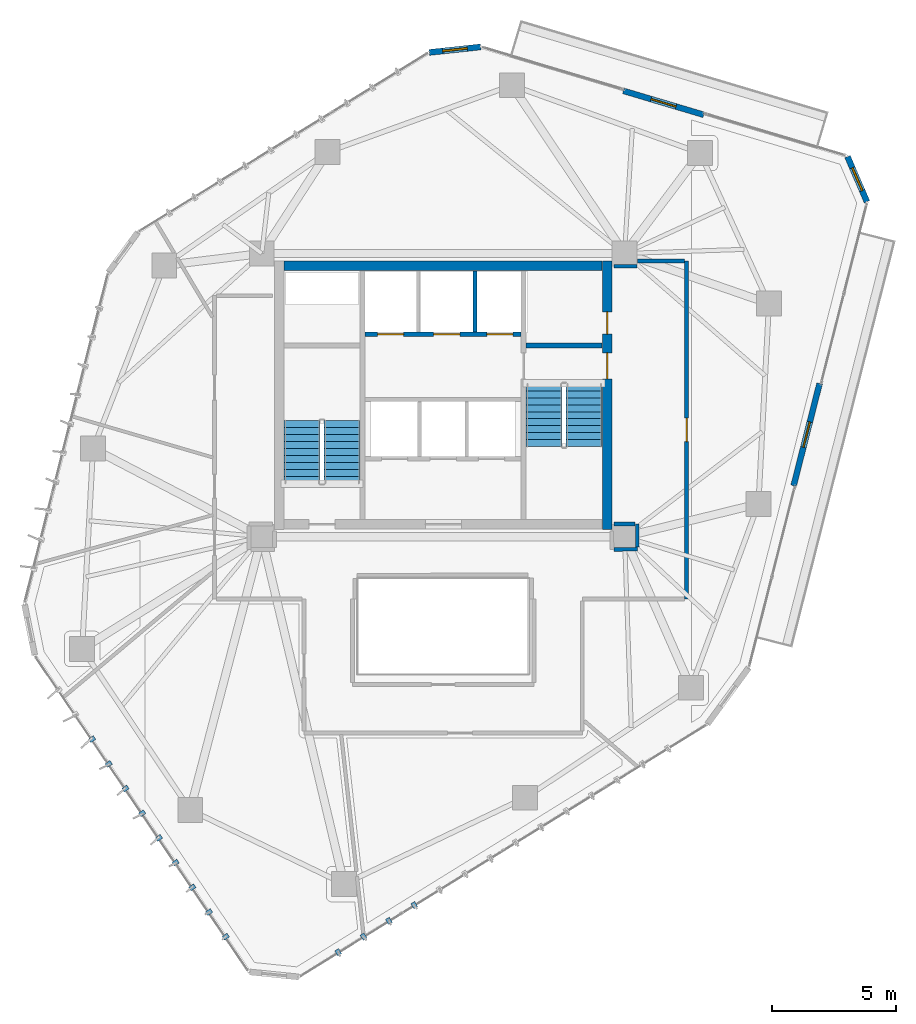
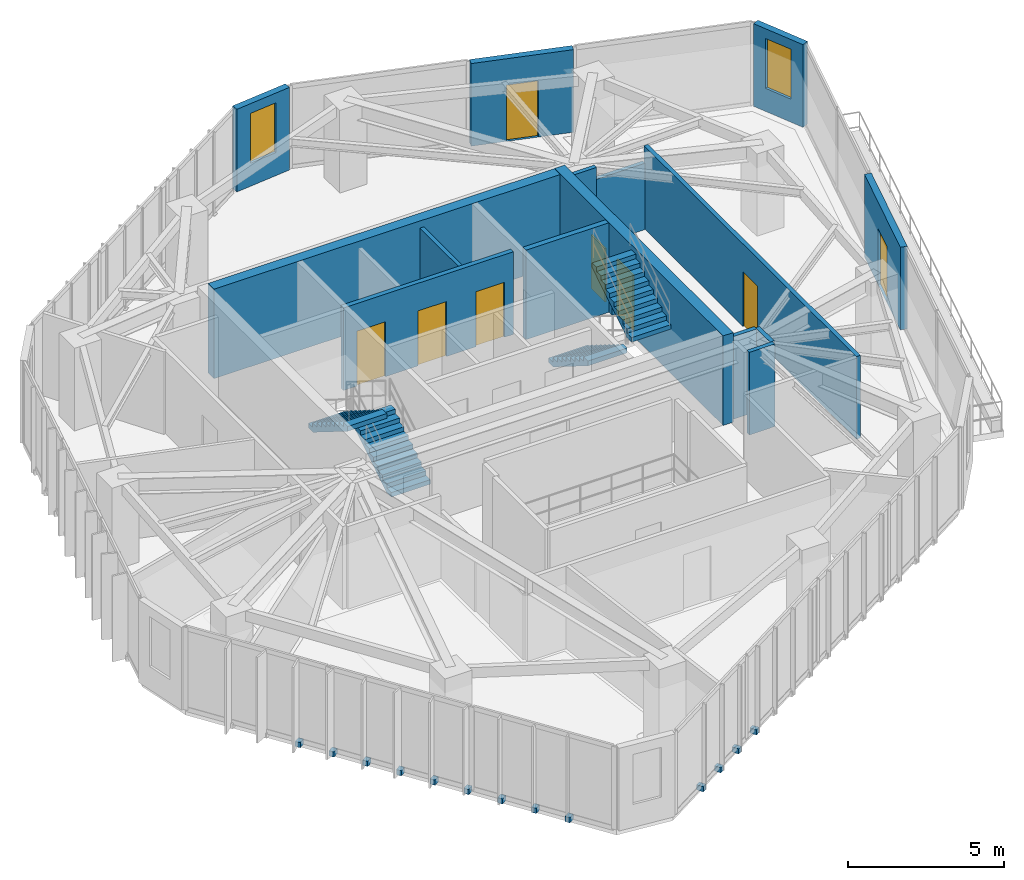
# One storey, part 17 of 21: 15 walls, 13 discrete accessories, 8 doors, 4 stair flights, 2 windows, 10 openings, 2 elements without a shape of their own.
"""IFC4 building model written with IfcOpenShell, lengths in metres."""

from ifc_helpers import new_model, si_unit, direction, frame, frame_2d, origin, origin_2d, place, context, subcontext, project, spatial, polyline, rectangle, outline, extrude, source, transform, mapped, material, layer, layer_set, type_object, type_shapes, element, fill, aggregate, save


model = new_model("IFC4")

# Units and contexts
model_context = context("Model", 3, precision=1e-05, world=origin(), true_north=direction((0.0, 1.0)))
body_context = subcontext(model_context, "Body", "Model", "MODEL_VIEW")
ifc_project = project(units=[si_unit("LENGTHUNIT", "METRE"), si_unit("AREAUNIT", "SQUARE_METRE"), si_unit("VOLUMEUNIT", "CUBIC_METRE"), si_unit("PLANEANGLEUNIT", "RADIAN"), si_unit("MASSUNIT", "GRAM", prefix="KILO")], contexts=[model_context])

# Site, building, storey
site_placement = place(None, origin())
site = spatial("IfcSite", under=ifc_project, at=site_placement, CompositionType="ELEMENT")
building_placement = place(site_placement, origin())
building = spatial("IfcBuilding", under=site, at=building_placement, Name="Talar Marvaseh", CompositionType="ELEMENT")
storey_placement = place(building_placement, frame((0.0, 0.0, 184.5)))
storey = spatial("IfcBuildingStorey", under=building, at=storey_placement, Name="L48", CompositionType="ELEMENT", Elevation=184.5)

# Wall, opening, window
ifc_material_1 = material(Name="Precast concrete C45/55", Category="concrete")
ifc_layer_1 = layer(ifc_material_1, 0.239990234375)
ifc_layer_set_1 = layer_set([ifc_layer_1], Name="Precast concrete C45/55")
wall_type_1 = type_object("IfcWallType", Name="Chamfered Hexagonal Corner Pier Wall Z3 240", PredefinedType="SOLIDWALL", material=ifc_layer_set_1)
wall_1_placement = place(storey_placement, frame((25.4365234375, 44.989990234375, 0.0), z_axis=(0.0, 0.0, 1.0), x_axis=(0.994288793821, 0.106722980103, 0.0)))
wall_1 = element("IfcWall", 1, at=wall_1_placement, inside=storey, type_object=wall_type_1, Name="L48 Chamfered Corner Limestone Pier 4", PredefinedType="SOLIDWALL", context=body_context, shape_type="SweptSolid", body=[
    extrude(rectangle(XDim=2.088623046875, YDim=0.239990234375, at=frame_2d((1.04443359375, 0.0))), origin(), (0.0, 0.0, 1.0), 3.22998046875),
])
opening_1_placement = place(wall_1_placement, frame((0.5439453125, 0.0, 0.89990234375)))
opening_1 = element("IfcOpeningElement", 2, at=opening_1_placement, cuts=wall_1, Name="Opening WN-CHM10", PredefinedType="OPENING", context=body_context, shape_type="SweptSolid", body=[
    extrude(rectangle(XDim=1.0, YDim=1.949951171875, at=frame_2d((0.5, 0.97509765625))), frame((0.0, 0.1298828125, 0.0), z_axis=(0.0, -1.0, 0.0), x_axis=(1.0, 0.0, 0.0)), (0.0, 0.0, 1.0), 0.260009765625),
])
ifc_material_2 = material(Name="Laminated Low-E Solar Glass", Category="glass")
window_type = type_object("IfcWindowType", Name="Zone 3 Chamfered Corner Slot Window 1000x1950", PartitioningType="SINGLE_PANEL", PredefinedType="WINDOW", material=ifc_material_2)
shared_shape_1 = source(origin(), body_context, "Body", "SweptSolid", [
    extrude(rectangle(XDim=1.0, YDim=1.949951171875, at=frame_2d((0.5, 0.97509765625))), frame((0.0, 0.030029296875, 0.0), z_axis=(0.0, -1.0, 0.0), x_axis=(1.0, 0.0, 0.0)), (0.0, 0.0, 1.0), 0.06005859375),
])
type_shapes(window_type, [shared_shape_1])
window_1_placement = place(opening_1_placement, origin())
window_1 = element("IfcWindow", 3, at=window_1_placement, inside=storey, type_object=window_type, Name="L48 Chamfered Corner Slot Window", OverallHeight=1.949951171875, OverallWidth=1.0, PartitioningType="SINGLE_PANEL", PredefinedType="WINDOW", context=body_context, shape_type="MappedRepresentation", body=[
    mapped(shared_shape_1, transform((0.0, 0.0, 0.0), x_axis=(1.0, 0.0, 0.0), y_axis=(0.0, 1.0, 0.0), z_axis=(0.0, 0.0, 1.0), scale=1.0)),
])
fill(opening_1, window_1)

wall_2_placement = place(storey_placement, frame((42.274658203125, 40.7958984375, 0.0), z_axis=(0.0, 0.0, 1.0), x_axis=(0.395884987947, -0.918300101447, 0.0)))
wall_2 = element("IfcWall", 4, at=wall_2_placement, inside=storey, type_object=wall_type_1, Name="L48 Chamfered Corner Limestone Pier 5", PredefinedType="SOLIDWALL", context=body_context, shape_type="SweptSolid", body=[
    extrude(rectangle(XDim=1.977783203125, YDim=0.239990234375, at=frame_2d((0.98876953125, 0.0))), origin(), (0.0, 0.0, 1.0), 3.22998046875),
])
opening_2_placement = place(wall_2_placement, frame((0.489013671875, 0.0, 0.89990234375)))
opening_2 = element("IfcOpeningElement", 5, at=opening_2_placement, cuts=wall_2, Name="Opening WN-CHM10", PredefinedType="OPENING", context=body_context, shape_type="SweptSolid", body=[
    extrude(rectangle(XDim=1.0, YDim=1.949951171875, at=frame_2d((0.5, 0.97509765625))), frame((0.0, 0.1298828125, 0.0), z_axis=(0.0, -1.0, 0.0), x_axis=(1.0, 0.0, 0.0)), (0.0, 0.0, 1.0), 0.260009765625),
])
window_2_placement = place(opening_2_placement, origin())
window_2 = element("IfcWindow", 6, at=window_2_placement, inside=storey, type_object=window_type, Name="L48 Chamfered Corner Slot Window", OverallHeight=1.949951171875, OverallWidth=1.0, PartitioningType="SINGLE_PANEL", PredefinedType="WINDOW", context=body_context, shape_type="MappedRepresentation", body=[
    mapped(shared_shape_1, transform((0.0, 0.0, 0.0), x_axis=(1.0, 0.0, 0.0), y_axis=(0.0, 1.0, 0.0), z_axis=(0.0, 0.0, 1.0), scale=1.0)),
])
fill(opening_2, window_2)

# Wall, opening, door
ifc_material_3 = material(Name="Gypsum Board Partition Assembly")
ifc_layer_2 = layer(ifc_material_3, 0.155029296875)
ifc_layer_set_2 = layer_set([ifc_layer_2], Name="Gypsum Board Partition Assembly")
wall_type_2 = type_object("IfcWallType", Name="Corridor Fire-Rated Acoustic Partition 155", PredefinedType="PARTITIONING", material=ifc_layer_set_2)
wall_3_placement = place(storey_placement, frame((35.800048828125, 36.60009765625, 0.0), z_axis=(0.0, 0.0, 1.0), x_axis=(0.0, -1.0, 0.0)))
wall_3 = element("IfcWall", 7, at=wall_3_placement, inside=storey, type_object=wall_type_2, Name="L48 Interior Partition Wall", PredefinedType="PARTITIONING", context=body_context, shape_type="SweptSolid", body=[
    extrude(rectangle(XDim=13.60009765625, YDim=0.155029296875, at=frame_2d((6.800048828125, 0.0))), origin(), (0.0, 0.0, 1.0), 3.22998046875),
])
opening_3_placement = place(wall_3_placement, frame((6.324951171875, 0.0, 0.0)))
opening_3 = element("IfcOpeningElement", 8, at=opening_3_placement, cuts=wall_3, Name="Opening DR-WC095", PredefinedType="OPENING", context=body_context, shape_type="SweptSolid", body=[
    extrude(rectangle(XDim=0.949951171875, YDim=2.14990234375, at=frame_2d((0.47509765625, 1.074951171875))), frame((0.0, 0.08740234375, 0.0), z_axis=(0.0, -1.0, 0.0), x_axis=(1.0, 0.0, 0.0)), (0.0, 0.0, 1.0), 0.175048828125),
])
ifc_material_4 = material(Name="Acoustic Engineered Oak Timber", Category="wood")
door_type_1 = type_object("IfcDoorType", Name="Washroom and Service Room Door 950x2150", OperationType="NOTDEFINED", PredefinedType="DOOR", material=ifc_material_4)
shared_shape_2 = source(origin(), body_context, "Body", "SweptSolid", [
    extrude(rectangle(XDim=0.949951171875, YDim=2.14990234375, at=frame_2d((0.47509765625, 1.074951171875))), frame((0.0, 0.02490234375, 0.0), z_axis=(0.0, -1.0, 0.0), x_axis=(1.0, 0.0, 0.0)), (0.0, 0.0, 1.0), 0.050048828125),
])
type_shapes(door_type_1, [shared_shape_2])
door_1_placement = place(opening_3_placement, origin())
door_1 = element("IfcDoor", 9, at=door_1_placement, inside=storey, type_object=door_type_1, Name="L48 Collection Conservation Store Door", OperationType="SINGLE_SWING_RIGHT", OverallHeight=2.14990234375, OverallWidth=0.949951171875, PredefinedType="DOOR", context=body_context, shape_type="MappedRepresentation", body=[
    mapped(shared_shape_2, transform((0.0, 0.0, 0.0), x_axis=(1.0, 0.0, 0.0), y_axis=(0.0, 1.0, 0.0), z_axis=(0.0, 0.0, 1.0), scale=1.0)),
])
fill(opening_3, door_1)

# Walls
wall_4_placement = place(storey_placement, frame((32.8740234375, 24.9892578125, 0.0), z_axis=(0.0, 0.0, 1.0), x_axis=(0.999934835738, 0.01141596595, 0.0)))
element("IfcWall", 10, at=wall_4_placement, inside=storey, type_object=wall_type_2, Name="L48 Interior Partition Wall", PredefinedType="PARTITIONING", context=body_context, shape_type="SweptSolid", body=[
    extrude(rectangle(XDim=0.94091796875, YDim=0.155029296875, at=frame_2d((0.470458984375, 0.0))), origin(), (0.0, 0.0, 1.0), 3.22998046875),
])
wall_5_placement = place(storey_placement, frame((33.814697265625, 25.08349609375, 0.0), z_axis=(0.0, 0.0, 1.0), x_axis=(-0.004477173984, 0.999989977406, 0.0)))
element("IfcWall", 11, at=wall_5_placement, inside=storey, type_object=wall_type_2, Name="L48 Interior Partition Wall", PredefinedType="PARTITIONING", context=body_context, shape_type="SweptSolid", body=[
    extrude(rectangle(XDim=0.927001953125, YDim=0.155029296875, at=frame_2d((0.46337890625, 0.0))), origin(), (0.0, 0.0, 1.0), 3.22998046875),
])
wall_6_placement = place(storey_placement, frame((33.72705078125, 26.010986328125, 0.0), z_axis=(0.0, 0.0, 1.0), x_axis=(-0.999990868706, 0.004273465251, 0.0)))
element("IfcWall", 12, at=wall_6_placement, inside=storey, type_object=wall_type_2, Name="L48 Interior Partition Wall", PredefinedType="PARTITIONING", context=body_context, shape_type="SweptSolid", body=[
    extrude(rectangle(XDim=0.85693359375, YDim=0.155029296875, at=frame_2d((0.428466796875, 0.0))), origin(), (0.0, 0.0, 1.0), 3.22998046875),
])
wall_7_placement = place(storey_placement, frame((32.8701171875, 36.385009765625, 0.0), z_axis=(0.0, 0.0, 1.0), x_axis=(0.999999965754, 0.000261711585, 0.0)))
element("IfcWall", 13, at=wall_7_placement, inside=storey, type_object=wall_type_2, Name="L48 Interior Partition Wall", PredefinedType="PARTITIONING", context=body_context, shape_type="SweptSolid", body=[
    extrude(rectangle(XDim=0.932861328125, YDim=0.155029296875, at=frame_2d((0.46630859375, 0.0))), origin(), (0.0, 0.0, 1.0), 3.22998046875),
])
wall_8_placement = place(storey_placement, frame((33.81494140625, 36.60009765625, 0.0), z_axis=(0.0, 0.0, 1.0), x_axis=(1.0, 0.0, 0.0)))
element("IfcWall", 14, at=wall_8_placement, inside=storey, type_object=wall_type_2, Name="L48 Interior Partition Wall", PredefinedType="PARTITIONING", context=body_context, shape_type="SweptSolid", body=[
    extrude(rectangle(XDim=1.901611328125, YDim=0.155029296875, at=frame_2d((0.95068359375, 0.0))), origin(), (0.0, 0.0, 1.0), 2.589111328125),
])
ifc_layer_3 = layer(ifc_material_1, 0.14501953125)
ifc_layer_set_3 = layer_set([ifc_layer_3], Name="Precast concrete C45/55")
wall_type_3 = type_object("IfcWallType", Name="Fire-Rated Lift Divider Wall 145", PredefinedType="SOLIDWALL", material=ifc_layer_set_3)
wall_9_placement = place(storey_placement, frame((27.280029296875, 33.743408203125, 0.0), z_axis=(0.0, 0.0, 1.0), x_axis=(0.0, 1.0, 0.0)))
element("IfcWall", 15, at=wall_9_placement, inside=storey, type_object=wall_type_3, Name="L48 FFL-2/SVL-1 Divider", PredefinedType="SOLIDWALL", context=body_context, shape_type="SweptSolid", body=[
    extrude(rectangle(XDim=2.45654296875, YDim=0.14501953125, at=frame_2d((1.228271484375, 0.0))), origin(), (0.0, 0.0, 1.0), 3.22998046875),
])

# Wall, openings, doors
ifc_layer_4 = layer(ifc_material_1, 0.175048828125)
ifc_layer_set_4 = layer_set([ifc_layer_4], Name="Precast concrete C45/55")
wall_type_4 = type_object("IfcWallType", Name="Fire-Rated Lift Hoistway Enclosure Wall 175", PredefinedType="SOLIDWALL", material=ifc_layer_set_4)
wall_10_placement = place(storey_placement, frame((22.860107421875, 33.64990234375, 0.0), z_axis=(0.0, 0.0, 1.0), x_axis=(1.0, 0.0, 0.0)))
wall_10 = element("IfcWall", 16, at=wall_10_placement, inside=storey, type_object=wall_type_4, Name="L48 Firefighting and Service Lift Front Wall", PredefinedType="SOLIDWALL", context=body_context, shape_type="SweptSolid", body=[
    extrude(rectangle(XDim=6.27978515625, YDim=0.175048828125, at=frame_2d((3.139892578125, 0.0))), origin(), (0.0, 0.0, 1.0), 3.22998046875),
])
opening_4_placement = place(wall_10_placement, frame((0.5, 0.0, 0.0)))
opening_4 = element("IfcOpeningElement", 17, at=opening_4_placement, cuts=wall_10, Name="Opening LD-FF1", PredefinedType="OPENING", context=body_context, shape_type="SweptSolid", body=[
    extrude(rectangle(XDim=1.050048828125, YDim=2.14990234375, at=frame_2d((0.52490234375, 1.074951171875))), frame((0.0, 0.09765625, 0.0), z_axis=(0.0, -1.0, 0.0), x_axis=(1.0, 0.0, 0.0)), (0.0, 0.0, 1.0), 0.195068359375),
])
opening_5_placement = place(wall_10_placement, frame((2.760009765625, 0.0, 0.0)))
opening_5 = element("IfcOpeningElement", 18, at=opening_5_placement, cuts=wall_10, Name="Opening LD-FF2", PredefinedType="OPENING", context=body_context, shape_type="SweptSolid", body=[
    extrude(rectangle(XDim=1.050048828125, YDim=2.14990234375, at=frame_2d((0.52490234375, 1.074951171875))), frame((0.0, 0.09765625, 0.0), z_axis=(0.0, -1.0, 0.0), x_axis=(1.0, 0.0, 0.0)), (0.0, 0.0, 1.0), 0.195068359375),
])
opening_6_placement = place(wall_10_placement, frame((4.89990234375, 0.0, 0.0)))
opening_6 = element("IfcOpeningElement", 19, at=opening_6_placement, cuts=wall_10, Name="Opening LD-SV1", PredefinedType="OPENING", context=body_context, shape_type="SweptSolid", body=[
    extrude(rectangle(XDim=1.050048828125, YDim=2.14990234375, at=frame_2d((0.52490234375, 1.074951171875))), frame((0.0, 0.09765625, 0.0), z_axis=(0.0, -1.0, 0.0), x_axis=(1.0, 0.0, 0.0)), (0.0, 0.0, 1.0), 0.195068359375),
])
ifc_material_5 = material(Name="Stainless Steel Grade 316", Category="steel")
door_type_2 = type_object("IfcDoorType", Name="Automatic Sliding Lift Landing Door 1050x2150", OperationType="NOTDEFINED", PredefinedType="DOOR", material=ifc_material_5)
shared_shape_3 = source(origin(), body_context, "Body", "SweptSolid", [
    extrude(rectangle(XDim=1.050048828125, YDim=2.14990234375, at=frame_2d((0.52490234375, 1.074951171875))), frame((0.0, 0.02490234375, 0.0), z_axis=(0.0, -1.0, 0.0), x_axis=(1.0, 0.0, 0.0)), (0.0, 0.0, 1.0), 0.050048828125),
])
type_shapes(door_type_2, [shared_shape_3])
door_2_placement = place(opening_4_placement, origin())
door_2 = element("IfcDoor", 20, at=door_2_placement, inside=storey, type_object=door_type_2, Name="L48 Lift FFL-1 Sliding Landing Door", OperationType="SLIDING_TO_LEFT", OverallHeight=2.14990234375, OverallWidth=1.050048828125, PredefinedType="DOOR", context=body_context, shape_type="MappedRepresentation", body=[
    mapped(shared_shape_3, transform((0.0, 0.0, 0.0), x_axis=(1.0, 0.0, 0.0), y_axis=(0.0, 1.0, 0.0), z_axis=(0.0, 0.0, 1.0), scale=1.0)),
])
fill(opening_4, door_2)
door_3_placement = place(opening_5_placement, origin())
door_3 = element("IfcDoor", 21, at=door_3_placement, inside=storey, type_object=door_type_2, Name="L48 Lift FFL-2 Sliding Landing Door", OperationType="SLIDING_TO_LEFT", OverallHeight=2.14990234375, OverallWidth=1.050048828125, PredefinedType="DOOR", context=body_context, shape_type="MappedRepresentation", body=[
    mapped(shared_shape_3, transform((0.0, 0.0, 0.0), x_axis=(1.0, 0.0, 0.0), y_axis=(0.0, 1.0, 0.0), z_axis=(0.0, 0.0, 1.0), scale=1.0)),
])
fill(opening_5, door_3)
door_4_placement = place(opening_6_placement, origin())
door_4 = element("IfcDoor", 22, at=door_4_placement, inside=storey, type_object=door_type_2, Name="L48 Lift SVL-1 Sliding Landing Door", OperationType="SLIDING_TO_LEFT", OverallHeight=2.14990234375, OverallWidth=1.050048828125, PredefinedType="DOOR", context=body_context, shape_type="MappedRepresentation", body=[
    mapped(shared_shape_3, transform((0.0, 0.0, 0.0), x_axis=(1.0, 0.0, 0.0), y_axis=(0.0, 1.0, 0.0), z_axis=(0.0, 0.0, 1.0), scale=1.0)),
])
fill(opening_6, door_4)

ifc_material_6 = material(Name="Concrete C60/75", Category="concrete")
ifc_layer_5 = layer(ifc_material_6, 0.3798828125)
ifc_layer_set_5 = layer_set([ifc_layer_5], Name="Concrete C60/75")
wall_type_5 = type_object("IfcWallType", Name="Mid Core Reinforced Concrete Shear Wall 380", PredefinedType="SHEAR", material=ifc_layer_set_5)
wall_11_placement = place(storey_placement, frame((32.60009765625, 36.60009765625, 0.0), z_axis=(0.0, 0.0, 1.0), x_axis=(0.0, -1.0, 0.0)))
wall_11 = element("IfcWall", 23, at=wall_11_placement, inside=storey, type_object=wall_type_5, Name="L48 East Core Shear Wall", PredefinedType="SHEAR", context=body_context, shape_type="SweptSolid", body=[
    extrude(rectangle(XDim=10.800048828125, YDim=0.3798828125, at=frame_2d((5.39990234375, 0.0))), origin(), (0.0, 0.0, 1.0), 3.5),
])
opening_7_placement = place(wall_11_placement, frame((3.699951171875, 0.0, 0.0)))
opening_7 = element("IfcOpeningElement", 24, at=opening_7_placement, cuts=wall_11, Name="Opening DR-ST105", PredefinedType="OPENING", context=body_context, shape_type="SweptSolid", body=[
    extrude(rectangle(XDim=1.050048828125, YDim=2.14990234375, at=frame_2d((0.52490234375, 1.074951171875))), frame((0.0, 0.199951171875, 0.0), z_axis=(0.0, -1.0, 0.0), x_axis=(1.0, 0.0, 0.0)), (0.0, 0.0, 1.0), 0.39990234375),
])
opening_8_placement = place(wall_11_placement, frame((2.050048828125, 0.0, 0.0)))
opening_8 = element("IfcOpeningElement", 25, at=opening_8_placement, cuts=wall_11, Name="Opening DR-BOH090", PredefinedType="OPENING", context=body_context, shape_type="SweptSolid", body=[
    extrude(rectangle(XDim=0.89990234375, YDim=2.10009765625, at=frame_2d((0.449951171875, 1.050048828125))), frame((0.0, 0.199951171875, 0.0), z_axis=(0.0, -1.0, 0.0), x_axis=(1.0, 0.0, 0.0)), (0.0, 0.0, 1.0), 0.39990234375),
])
ifc_material_7 = material(Name="Fire-Rated Steel Door Leaf", Category="steel")
door_type_3 = type_object("IfcDoorType", Name="Protected Exit Stair Fire Door 1050x2150", OperationType="NOTDEFINED", PredefinedType="DOOR", material=ifc_material_7)
shared_shape_4 = source(origin(), body_context, "Body", "SweptSolid", [
    extrude(rectangle(XDim=1.050048828125, YDim=2.14990234375, at=frame_2d((0.52490234375, 1.074951171875))), frame((0.0, 0.02490234375, 0.0), z_axis=(0.0, -1.0, 0.0), x_axis=(1.0, 0.0, 0.0)), (0.0, 0.0, 1.0), 0.050048828125),
])
type_shapes(door_type_3, [shared_shape_4])
door_5_placement = place(opening_7_placement, origin())
door_5 = element("IfcDoor", 26, at=door_5_placement, inside=storey, type_object=door_type_3, Name="L48 Stair ST-2 Corridor Exit Door", OperationType="SINGLE_SWING_LEFT", OverallHeight=2.14990234375, OverallWidth=1.050048828125, PredefinedType="DOOR", context=body_context, shape_type="MappedRepresentation", body=[
    mapped(shared_shape_4, transform((0.0, 0.0, 0.0), x_axis=(1.0, 0.0, 0.0), y_axis=(0.0, 1.0, 0.0), z_axis=(0.0, 0.0, 1.0), scale=1.0)),
])
fill(opening_7, door_5)
door_type_4 = type_object("IfcDoorType", Name="Core Back-of-House Service Door 900x2100", OperationType="NOTDEFINED", PredefinedType="DOOR", material=ifc_material_7)
shared_shape_5 = source(origin(), body_context, "Body", "SweptSolid", [
    extrude(rectangle(XDim=0.89990234375, YDim=2.10009765625, at=frame_2d((0.449951171875, 1.050048828125))), frame((0.0, 0.02490234375, 0.0), z_axis=(0.0, -1.0, 0.0), x_axis=(1.0, 0.0, 0.0)), (0.0, 0.0, 1.0), 0.050048828125),
])
type_shapes(door_type_4, [shared_shape_5])
door_6_placement = place(opening_8_placement, origin())
door_6 = element("IfcDoor", 27, at=door_6_placement, inside=storey, type_object=door_type_4, Name="L48 Store Core East Archive Room Door", OperationType="SINGLE_SWING_RIGHT", OverallHeight=2.10009765625, OverallWidth=0.89990234375, PredefinedType="DOOR", context=body_context, shape_type="MappedRepresentation", body=[
    mapped(shared_shape_5, transform((0.0, 0.0, 0.0), x_axis=(1.0, 0.0, 0.0), y_axis=(0.0, 1.0, 0.0), z_axis=(0.0, 0.0, 1.0), scale=1.0)),
])
fill(opening_8, door_6)

# Walls
wall_12_placement = place(storey_placement, frame((19.60009765625, 36.39990234375, 0.0), z_axis=(0.0, 0.0, 1.0), x_axis=(1.0, 0.0, 0.0)))
element("IfcWall", 28, at=wall_12_placement, inside=storey, type_object=wall_type_5, Name="L48 North Core Shear Wall", PredefinedType="SHEAR", context=body_context, shape_type="SweptSolid", body=[
    extrude(rectangle(XDim=12.7998046875, YDim=0.3798828125, at=frame_2d((6.39990234375, 0.0))), origin(), (0.0, 0.0, 1.0), 3.5),
])
ifc_material_8 = material(Name="Concrete C50/60", Category="concrete")
ifc_layer_6 = layer(ifc_material_8, 0.199951171875)
ifc_layer_set_6 = layer_set([ifc_layer_6], Name="Concrete C50/60")
wall_type_6 = type_object("IfcWallType", Name="Stair Shaft Structural Concrete Shear Wall 200", PredefinedType="SHEAR", material=ifc_layer_set_6)
wall_13_placement = place(storey_placement, frame((29.340087890625, 33.199951171875, 0.0), z_axis=(0.0, 0.0, 1.0), x_axis=(1.0, 0.0, 0.0)))
element("IfcWall", 29, at=wall_13_placement, inside=storey, type_object=wall_type_6, Name="L48 Stair ST-2 North Shear Wall", PredefinedType="SHEAR", context=body_context, shape_type="SweptSolid", body=[
    extrude(rectangle(XDim=3.059814453125, YDim=0.199951171875, at=frame_2d((1.52978515625, 0.0))), origin(), (0.0, 0.0, 1.0), 3.5),
])

# Wall, opening, door
ifc_layer_7 = layer(ifc_material_1, 0.235107421875)
ifc_layer_set_7 = layer_set([ifc_layer_7], Name="Precast concrete C45/55")
wall_type_7 = type_object("IfcWallType", Name="Terrace Threshold Glazed Spandrel Wall 235", PredefinedType="SOLIDWALL", material=ifc_layer_set_7)
wall_14_placement = place(storey_placement, frame((33.252685546875, 43.444580078125, 0.0), z_axis=(0.0, 0.0, 1.0), x_axis=(0.958338500581, -0.285634938872, 0.0)))
wall_14 = element("IfcWall", 30, at=wall_14_placement, inside=storey, type_object=wall_type_7, Name="L48 Terrace Threshold Wall", PredefinedType="SOLIDWALL", context=body_context, shape_type="SweptSolid", body=[
    extrude(rectangle(XDim=3.37451171875, YDim=0.235107421875, at=frame_2d((1.687255859375, 0.0))), origin(), (0.0, 0.0, 1.0), 3.22998046875),
])
opening_9_placement = place(wall_14_placement, frame((1.162109375, 0.0, 0.0)))
opening_9 = element("IfcOpeningElement", 31, at=opening_9_placement, cuts=wall_14, Name="Opening DR-TER10", PredefinedType="OPENING", context=body_context, shape_type="SweptSolid", body=[
    extrude(rectangle(XDim=1.050048828125, YDim=2.199951171875, at=frame_2d((0.52490234375, 1.10009765625))), frame((0.0, 0.12744140625, 0.0), z_axis=(0.0, -1.0, 0.0), x_axis=(1.0, 0.0, 0.0)), (0.0, 0.0, 1.0), 0.255126953125),
])
ifc_material_9 = material(Name="Architectural Aluminium", Category="aluminium")
door_type_5 = type_object("IfcDoorType", Name="External Terrace Weatherproof Glazed Door 1050x2200", OperationType="NOTDEFINED", PredefinedType="DOOR", material=ifc_material_9)
shared_shape_6 = source(origin(), body_context, "Body", "SweptSolid", [
    extrude(rectangle(XDim=1.050048828125, YDim=2.199951171875, at=frame_2d((0.52490234375, 1.10009765625))), frame((0.0, 0.02490234375, 0.0), z_axis=(0.0, -1.0, 0.0), x_axis=(1.0, 0.0, 0.0)), (0.0, 0.0, 1.0), 0.050048828125),
])
type_shapes(door_type_5, [shared_shape_6])
door_7_placement = place(opening_9_placement, origin())
door_7 = element("IfcDoor", 32, at=door_7_placement, inside=storey, type_object=door_type_5, Name="L48 External Planted Terrace Access Door", OperationType="SINGLE_SWING_LEFT", OverallHeight=2.199951171875, OverallWidth=1.050048828125, PredefinedType="DOOR", context=body_context, shape_type="MappedRepresentation", body=[
    mapped(shared_shape_6, transform((0.0, 0.0, 0.0), x_axis=(1.0, 0.0, 0.0), y_axis=(0.0, 1.0, 0.0), z_axis=(0.0, 0.0, 1.0), scale=1.0)),
])
fill(opening_9, door_7)

wall_15_placement = place(storey_placement, frame((41.14990234375, 31.665283203125, 0.0), z_axis=(0.0, 0.0, 1.0), x_axis=(-0.24629710988, -0.969194373521, 0.0)))
wall_15 = element("IfcWall", 33, at=wall_15_placement, inside=storey, type_object=wall_type_7, Name="L48 Terrace Threshold Wall", PredefinedType="SOLIDWALL", context=body_context, shape_type="SweptSolid", body=[
    extrude(rectangle(XDim=4.243408203125, YDim=0.235107421875, at=frame_2d((2.12158203125, 0.0))), origin(), (0.0, 0.0, 1.0), 3.22998046875),
])
opening_10_placement = place(wall_15_placement, frame((1.596923828125, 0.0, 0.0)))
opening_10 = element("IfcOpeningElement", 34, at=opening_10_placement, cuts=wall_15, Name="Opening DR-TER10", PredefinedType="OPENING", context=body_context, shape_type="SweptSolid", body=[
    extrude(rectangle(XDim=1.050048828125, YDim=2.199951171875, at=frame_2d((0.52490234375, 1.10009765625))), frame((0.0, 0.12744140625, 0.0), z_axis=(0.0, -1.0, 0.0), x_axis=(1.0, 0.0, 0.0)), (0.0, 0.0, 1.0), 0.255126953125),
])
door_8_placement = place(opening_10_placement, origin())
door_8 = element("IfcDoor", 35, at=door_8_placement, inside=storey, type_object=door_type_5, Name="L48 External Planted Terrace Access Door", OperationType="SINGLE_SWING_RIGHT", OverallHeight=2.199951171875, OverallWidth=1.050048828125, PredefinedType="DOOR", context=body_context, shape_type="MappedRepresentation", body=[
    mapped(shared_shape_6, transform((0.0, 0.0, 0.0), x_axis=(1.0, 0.0, 0.0), y_axis=(0.0, 1.0, 0.0), z_axis=(0.0, 0.0, 1.0), scale=1.0)),
])
fill(opening_10, door_8)

# Stair, stair flights
ifc_material_10 = material(Name="Concrete C40/50", Category="concrete")
stair_type = type_object("IfcStairType", Name="Reinforced Concrete High-Rise Exit Stair Type C", PredefinedType="HALF_TURN_STAIR", material=ifc_material_10)
stair_1_placement = place(storey_placement, origin())
stair_1 = element("IfcStair", 36, at=stair_1_placement, inside=storey, type_object=stair_type, Name="L48 Tower West Core Exit Stair", PredefinedType="HALF_TURN_STAIR")
ifc_layer_8 = layer(ifc_material_10, 0.159912109375)
ifc_layer_set_8 = layer_set([ifc_layer_8], Name="Concrete C40/50")
stair_flight_type = type_object("IfcStairFlightType", Name="Reinforced Concrete Straight Stair Flight 160", PredefinedType="STRAIGHT", material=ifc_layer_set_8)
stair_flight_1_placement = place(storey_placement, frame((21.93505859375, 27.64990234375, 0.0), z_axis=(0.0, 0.0, 1.0), x_axis=(0.0, 1.0, 0.0)))
stair_flight_1 = element("IfcStairFlight", 37, at=stair_flight_1_placement, type_object=stair_flight_type, Name="ST-1 flight 1", NumberOfRisers=10, NumberOfTreads=9, PredefinedType="STRAIGHT", RiserHeight=0.175, TreadLength=0.28, context=body_context, shape_type="SweptSolid", body=[
    extrude(outline(polyline([(0.0, 0.0), (0.0, 0.175048828125), (0.280029296875, 0.175048828125), (0.280029296875, 0.35009765625), (0.56005859375, 0.35009765625), (0.56005859375, 0.52490234375), (0.840087890625, 0.52490234375), (0.840087890625, 0.699951171875), (1.1201171875, 0.699951171875), (1.1201171875, 0.875), (1.39990234375, 0.875), (1.39990234375, 1.050048828125), (1.679931640625, 1.050048828125), (1.679931640625, 1.22509765625), (1.9599609375, 1.22509765625), (1.9599609375, 1.39990234375), (2.239990234375, 1.39990234375), (2.239990234375, 1.574951171875), (2.52001953125, 1.574951171875), (2.52001953125, 1.75), (2.52001953125, 1.386474609375), (0.3017578125, 0.0), (0.0, 0.0)])), frame((0.0, 0.72509765625, 0.0), z_axis=(0.0, -1.0, 0.0), x_axis=(1.0, 0.0, 0.0)), (0.0, 0.0, 1.0), 1.449951171875),
])
stair_flight_2_placement = place(storey_placement, frame((20.324951171875, 30.169921875, 1.75), z_axis=(0.0, 0.0, 1.0), x_axis=(0.0, -1.0, 0.0)))
stair_flight_2 = element("IfcStairFlight", 38, at=stair_flight_2_placement, type_object=stair_flight_type, Name="ST-1 flight 2", NumberOfRisers=10, NumberOfTreads=9, PredefinedType="STRAIGHT", RiserHeight=0.175, TreadLength=0.28, context=body_context, shape_type="SweptSolid", body=[
    extrude(outline(polyline([(0.0, 0.0), (0.0, 0.175048828125), (0.280029296875, 0.175048828125), (0.280029296875, 0.35009765625), (0.56005859375, 0.35009765625), (0.56005859375, 0.52490234375), (0.840087890625, 0.52490234375), (0.840087890625, 0.699951171875), (1.1201171875, 0.699951171875), (1.1201171875, 0.875), (1.39990234375, 0.875), (1.39990234375, 1.050048828125), (1.679931640625, 1.050048828125), (1.679931640625, 1.22509765625), (1.9599609375, 1.22509765625), (1.9599609375, 1.39990234375), (2.239990234375, 1.39990234375), (2.239990234375, 1.574951171875), (2.52001953125, 1.574951171875), (2.52001953125, 1.75), (2.52001953125, 1.386474609375), (0.3017578125, 0.0), (0.0, 0.0)])), frame((0.0, 0.72509765625, 0.0), z_axis=(0.0, -1.0, 0.0), x_axis=(1.0, 0.0, 0.0)), (0.0, 0.0, 1.0), 1.449951171875),
])
aggregate(stair_1, [stair_flight_1, stair_flight_2])

stair_2_placement = place(storey_placement, origin())
stair_2 = element("IfcStair", 39, at=stair_2_placement, inside=storey, type_object=stair_type, Name="L48 Tower East Core Exit Stair", PredefinedType="HALF_TURN_STAIR")
stair_flight_3_placement = place(storey_placement, frame((30.06494140625, 31.64990234375, 0.0), z_axis=(0.0, 0.0, 1.0), x_axis=(0.0, -1.0, 0.0)))
stair_flight_3 = element("IfcStairFlight", 40, at=stair_flight_3_placement, type_object=stair_flight_type, Name="ST-2 flight 1", NumberOfRisers=10, NumberOfTreads=9, PredefinedType="STRAIGHT", RiserHeight=0.175, TreadLength=0.28, context=body_context, shape_type="SweptSolid", body=[
    extrude(outline(polyline([(0.0, 0.0), (0.0, 0.175048828125), (0.280029296875, 0.175048828125), (0.280029296875, 0.35009765625), (0.56005859375, 0.35009765625), (0.56005859375, 0.52490234375), (0.840087890625, 0.52490234375), (0.840087890625, 0.699951171875), (1.1201171875, 0.699951171875), (1.1201171875, 0.875), (1.39990234375, 0.875), (1.39990234375, 1.050048828125), (1.679931640625, 1.050048828125), (1.679931640625, 1.22509765625), (1.9599609375, 1.22509765625), (1.9599609375, 1.39990234375), (2.239990234375, 1.39990234375), (2.239990234375, 1.574951171875), (2.52001953125, 1.574951171875), (2.52001953125, 1.75), (2.52001953125, 1.386474609375), (0.3017578125, 0.0), (0.0, 0.0)])), frame((0.0, 0.72509765625, 0.0), z_axis=(0.0, -1.0, 0.0), x_axis=(1.0, 0.0, 0.0)), (0.0, 0.0, 1.0), 1.449951171875),
])
stair_flight_4_placement = place(storey_placement, frame((31.675048828125, 29.1298828125, 1.75), z_axis=(0.0, 0.0, 1.0), x_axis=(0.0, 1.0, 0.0)))
stair_flight_4 = element("IfcStairFlight", 41, at=stair_flight_4_placement, type_object=stair_flight_type, Name="ST-2 flight 2", NumberOfRisers=10, NumberOfTreads=9, PredefinedType="STRAIGHT", RiserHeight=0.175, TreadLength=0.28, context=body_context, shape_type="SweptSolid", body=[
    extrude(outline(polyline([(0.0, 0.0), (0.0, 0.175048828125), (0.280029296875, 0.175048828125), (0.280029296875, 0.35009765625), (0.56005859375, 0.35009765625), (0.56005859375, 0.52490234375), (0.840087890625, 0.52490234375), (0.840087890625, 0.699951171875), (1.1201171875, 0.699951171875), (1.1201171875, 0.875), (1.39990234375, 0.875), (1.39990234375, 1.050048828125), (1.679931640625, 1.050048828125), (1.679931640625, 1.22509765625), (1.9599609375, 1.22509765625), (1.9599609375, 1.39990234375), (2.239990234375, 1.39990234375), (2.239990234375, 1.574951171875), (2.52001953125, 1.574951171875), (2.52001953125, 1.75), (2.52001953125, 1.386474609375), (0.3017578125, 0.0), (0.0, 0.0)])), frame((0.0, 0.72509765625, 0.0), z_axis=(0.0, -1.0, 0.0), x_axis=(1.0, 0.0, 0.0)), (0.0, 0.0, 1.0), 1.449951171875),
])
aggregate(stair_2, [stair_flight_3, stair_flight_4])

# Discrete accessories
discrete_accessory_type = type_object("IfcDiscreteAccessoryType", Name="Stainless Slab-Edge Fin Mounting Bracket", PredefinedType="BRACKET", material=ifc_material_5)
shared_shape_7 = source(origin(), body_context, "Body", "SweptSolid", [
    extrude(rectangle(XDim=0.239990234375, YDim=0.179931640625, at=origin_2d()), origin(), (0.0, 0.0, 1.0), 0.199951171875),
])
type_shapes(discrete_accessory_type, [shared_shape_7])
for number, where, z_axis, x_axis, name in (
    (42, (17.25048828125, 9.400146484375, -0.18017578125), (0.0, 0.0, 1.0), (-0.828060334622, -0.560638994563, 0.0), "L48 Vertical Fin Slab-Edge Bracket"),
    (43, (16.577880859375, 10.393798828125, -0.18017578125), (0.0, 0.0, 1.0), (-0.828060334622, -0.560638994563, 0.0), "L48 Vertical Fin Slab-Edge Bracket"),
    (44, (15.905029296875, 11.3876953125, -0.18017578125), (0.0, 0.0, 1.0), (-0.828060334622, -0.560638994563, 0.0), "L48 Vertical Fin Slab-Edge Bracket"),
    (45, (15.232421875, 12.38134765625, -0.18017578125), (0.0, 0.0, 1.0), (-0.828060334622, -0.560638994563, 0.0), "L48 Vertical Fin Slab-Edge Bracket"),
    (46, (14.559814453125, 13.375, -0.18017578125), (0.0, 0.0, 1.0), (-0.828060334622, -0.560638994563, 0.0), "L48 Vertical Fin Slab-Edge Bracket"),
    (47, (13.886962890625, 14.368896484375, -0.18017578125), (0.0, 0.0, 1.0), (-0.828060334622, -0.560638994563, 0.0), "L48 Vertical Fin Slab-Edge Bracket"),
    (48, (13.21435546875, 15.362548828125, -0.18017578125), (0.0, 0.0, 1.0), (-0.828060334622, -0.560638994563, 0.0), "L48 Vertical Fin Slab-Edge Bracket"),
    (49, (12.54150390625, 16.356201171875, -0.18017578125), (0.0, 0.0, 1.0), (-0.828060334622, -0.560638994563, 0.0), "L48 Vertical Fin Slab-Edge Bracket"),
    (50, (11.868896484375, 17.349853515625, -0.18017578125), (0.0, 0.0, 1.0), (-0.828060334622, -0.560638994563, 0.0), "L48 Vertical Fin Slab-Edge Bracket"),
    (51, (24.837158203125, 10.6708984375, -0.18017578125), (0.0, 0.0, 1.0), (0.526362330098, -0.850260370389, 0.0), "L48 Vertical Fin Slab-Edge Bracket"),
    (52, (23.81689453125, 10.039306640625, -0.18017578125), (0.0, 0.0, 1.0), (0.526362330098, -0.850260370389, 0.0), "L48 Vertical Fin Slab-Edge Bracket"),
    (53, (22.79638671875, 9.40771484375, -0.18017578125), (0.0, 0.0, 1.0), (0.526362330098, -0.850260370389, 0.0), "L48 Vertical Fin Slab-Edge Bracket"),
    (54, (21.776123046875, 8.77587890625, -0.18017578125), (0.0, 0.0, 1.0), (0.526362330098, -0.850260370389, 0.0), "L48 Vertical Fin Slab-Edge Bracket"),
):
    element("IfcDiscreteAccessory", number, at=place(storey_placement, frame(where, z_axis=z_axis, x_axis=x_axis)), inside=storey, type_object=discrete_accessory_type, Name=name, PredefinedType="BRACKET", context=body_context, shape_type="MappedRepresentation", body=[
        mapped(shared_shape_7, transform((0.0, 0.0, 0.0), x_axis=(1.0, 0.0, 0.0), y_axis=(0.0, 1.0, 0.0), z_axis=(0.0, 0.0, 1.0), scale=1.0)),
    ])

save(model, "model.ifc")
